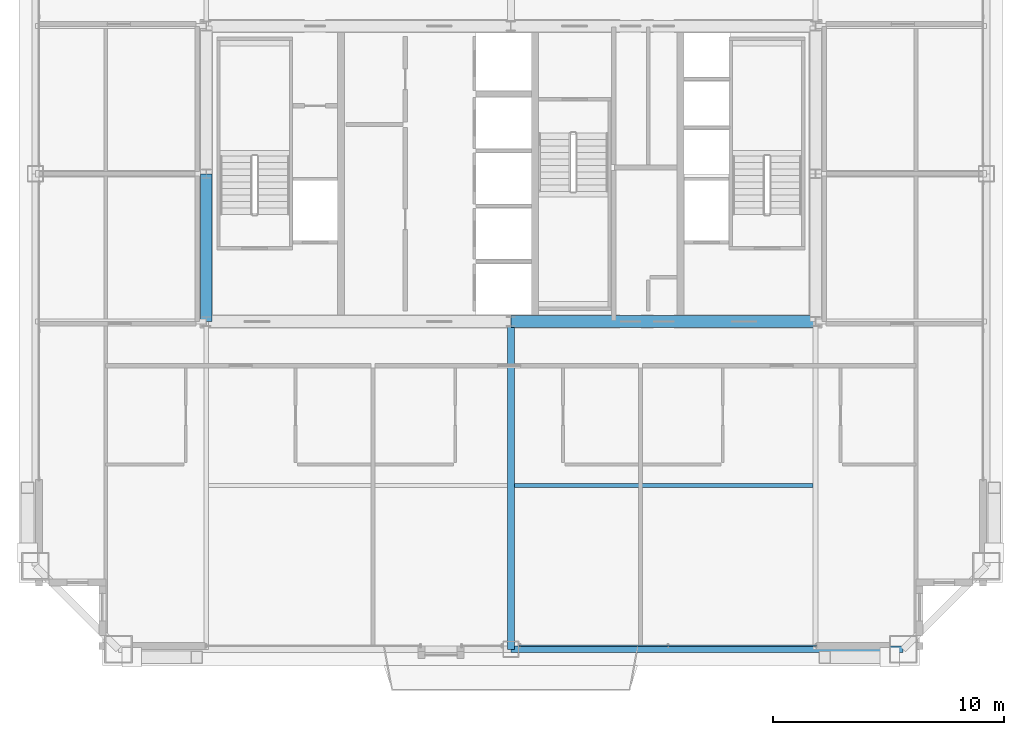
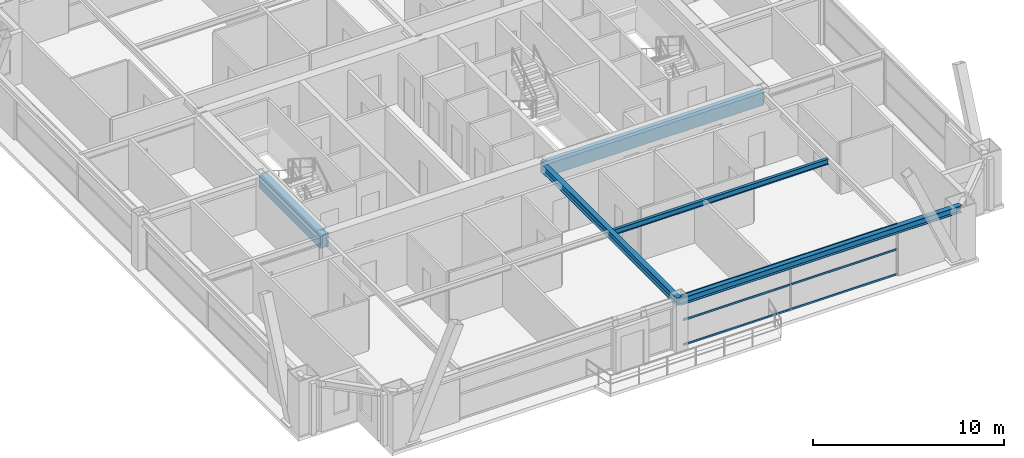
# One storey, part 10 of 34: 5 beams, 3 members, 1 element without a shape of its own.
"""IFC4 building model written with IfcOpenShell, lengths in metres."""

import ifcopenshell
import ifcopenshell.guid

model = None  # the IFC model being written
_history = None  # IfcOwnerHistory: only IFC2X3 demands one
_inside = {}  # id of a spatial element -> (the spatial element, [elements in it])
_under = {}  # id of a project, library or spatial element -> (it, [spatial elements below it])
_declared = {}  # id of a project -> (the project, [libraries it declares])
_typed = {}  # id of a type object -> (the type object, [elements of that type])
_made_of = {}  # id of a material, layer set ... -> (it, [elements and type objects made of it])


def new_model(schema):
    """Start an empty IFC model of exactly this schema.

    Asked for "IFC4X3", IfcOpenShell would pick the latest addendum, in which some entities
    have other attributes; the version numbers below select the first issue.
    IFC2X3 requires an IfcOwnerHistory on every rooted entity: one is made here for all.
    """
    global model, _history
    if schema == "IFC4X3":
        model = ifcopenshell.file(schema_version=(4, 3, 0, 0))
    else:
        model = ifcopenshell.file(schema=schema)
    _inside.clear()
    _under.clear()
    _declared.clear()
    _typed.clear()
    _made_of.clear()
    _history = None
    if model.schema == "IFC2X3":
        org = make("IfcOrganization", Name="unknown")
        user = make(
            "IfcPersonAndOrganization",
            ThePerson=make("IfcPerson", FamilyName="unknown"),
            TheOrganization=org,
        )
        app = make(
            "IfcApplication",
            ApplicationDeveloper=org,
            Version="unknown",
            ApplicationFullName="unknown",
            ApplicationIdentifier="unknown",
        )
        _history = make(
            "IfcOwnerHistory",
            OwningUser=user,
            OwningApplication=app,
            ChangeAction="ADDED",
            CreationDate=0,
        )
    return model


def make(cls, **values):
    """One entity of the class cls with the attributes given. An attribute that is None is left unset."""
    return model.create_entity(
        cls, **{name: value for name, value in values.items() if value is not None}
    )


def rooted(cls, **values):
    """An entity with a GlobalId (a new one), such as an element, a storey or a relation."""
    return make(cls, GlobalId=ifcopenshell.guid.new(), OwnerHistory=_history, **values)


def si_unit(unit_type, name, prefix=None):
    """IfcSIUnit, for example si_unit("LENGTHUNIT", "METRE", prefix="MILLI")."""
    return make("IfcSIUnit", UnitType=unit_type, Prefix=prefix, Name=name)


def assignment(units):
    """IfcUnitAssignment: the units of a project."""
    return None if units is None else make("IfcUnitAssignment", Units=units)


def point(xyz):
    """IfcCartesianPoint."""
    return None if xyz is None else make("IfcCartesianPoint", Coordinates=xyz)


def direction(xyz):
    """IfcDirection."""
    return None if xyz is None else make("IfcDirection", DirectionRatios=xyz)


def frame(location, z_axis=None, x_axis=None):
    """IfcAxis2Placement3D, a coordinate frame: its origin and axes. An axis left out is left unset."""
    return make(
        "IfcAxis2Placement3D",
        Location=point(location),
        Axis=direction(z_axis),
        RefDirection=direction(x_axis),
    )


def frame_2d(location, x_axis=None):
    """IfcAxis2Placement2D, a coordinate frame in the plane: its origin and x axis."""
    return make(
        "IfcAxis2Placement2D", Location=point(location), RefDirection=direction(x_axis)
    )


def origin():
    """The frame at (0, 0, 0) with its axes left unset."""
    return frame((0.0, 0.0, 0.0))


def origin_2d():
    """The frame at (0, 0) in the plane with its x axis left unset."""
    return frame_2d((0.0, 0.0))


def place(relative_to, where):
    """IfcLocalPlacement: puts the frame where relative to a parent placement (None: the world)."""
    return make(
        "IfcLocalPlacement", PlacementRelTo=relative_to, RelativePlacement=where
    )


def context(
    kind, dimensions, precision=None, world=None, true_north=None, identifier=None
):
    """IfcGeometricRepresentationContext, for example the 3D "Model" context."""
    return make(
        "IfcGeometricRepresentationContext",
        ContextIdentifier=identifier,
        ContextType=kind,
        CoordinateSpaceDimension=dimensions,
        Precision=precision,
        WorldCoordinateSystem=world,
        TrueNorth=true_north,
    )


def subcontext(parent, identifier, kind, view, scale=None):
    """IfcGeometricRepresentationSubContext, for example "Body" below "Model"."""
    return make(
        "IfcGeometricRepresentationSubContext",
        ContextIdentifier=identifier,
        ContextType=kind,
        ParentContext=parent,
        TargetScale=scale,
        TargetView=view,
    )


def project(units=None, contexts=None):
    """IfcProject with its units and contexts."""
    return rooted(
        "IfcProject",
        Name="project",
        RepresentationContexts=contexts,
        UnitsInContext=assignment(units),
    )


def spatial(cls, under=None, at=None, **own):
    """A site, building, storey or space (cls), placed at a placement, below another one or the project."""
    s = rooted(cls, ObjectPlacement=at, **own)
    if under is not None:
        _under.setdefault(under.id(), (under, []))[1].append(s)
    return s


def profile(cls, at=None, kind="AREA", **sizes):
    """A parametric profile (cls). Its sizes go by their IFC names, for example OverallWidth=200.0."""
    return make(cls, ProfileType=kind, Position=at, **sizes)


def rectangle(**sizes):
    """IfcRectangleProfileDef."""
    return profile("IfcRectangleProfileDef", **sizes)


def hollow_rectangle(**sizes):
    """IfcRectangleHollowProfileDef."""
    return profile("IfcRectangleHollowProfileDef", **sizes)


def i_section(**sizes):
    """IfcIShapeProfileDef."""
    return profile("IfcIShapeProfileDef", **sizes)


def extrude(swept, where, along, depth):
    """IfcExtrudedAreaSolid: the profile swept, set in the frame where, extruded along a direction by depth."""
    return make(
        "IfcExtrudedAreaSolid",
        SweptArea=swept,
        Position=where,
        ExtrudedDirection=direction(along),
        Depth=depth,
    )


def shape(context_of_items, identifier, shape_type, items):
    """IfcShapeRepresentation: the items that make up one representation, for example the "Body"."""
    return make(
        "IfcShapeRepresentation",
        ContextOfItems=context_of_items,
        RepresentationIdentifier=identifier,
        RepresentationType=shape_type,
        Items=items,
    )


def source(mapping_origin, context_of_items, identifier, shape_type, items):
    """IfcRepresentationMap: a shape defined once, which mapped items show again and again."""
    return make(
        "IfcRepresentationMap",
        MappingOrigin=mapping_origin,
        MappedRepresentation=shape(context_of_items, identifier, shape_type, items),
    )


def transform(
    local_origin,
    x_axis=None,
    y_axis=None,
    z_axis=None,
    scale=None,
    scale2=None,
    scale3=None,
    uniform=True,
):
    """IfcCartesianTransformationOperator3D, or its non-uniform kind. x_axis, y_axis, z_axis: its Axis1, 2, 3."""
    if uniform:
        return make(
            "IfcCartesianTransformationOperator3D",
            Axis1=direction(x_axis),
            Axis2=direction(y_axis),
            LocalOrigin=point(local_origin),
            Scale=scale,
            Axis3=direction(z_axis),
        )
    return make(
        "IfcCartesianTransformationOperator3DnonUniform",
        Axis1=direction(x_axis),
        Axis2=direction(y_axis),
        LocalOrigin=point(local_origin),
        Scale=scale,
        Axis3=direction(z_axis),
        Scale2=scale2,
        Scale3=scale3,
    )


def mapped(mapping_source, mapping_target):
    """IfcMappedItem: shows the shape of a source again, moved by a transform."""
    return make(
        "IfcMappedItem", MappingSource=mapping_source, MappingTarget=mapping_target
    )


def material(Name=None, Category=None):
    """IfcMaterial."""
    return make("IfcMaterial", Name=Name, Category=Category)


def layer(
    of_material, thickness, ventilated=None, Name=None, Category=None, Priority=None
):
    """IfcMaterialLayer: one layer of a wall or slab, of a material (None: an air gap)."""
    return make(
        "IfcMaterialLayer",
        Material=of_material,
        LayerThickness=thickness,
        IsVentilated=ventilated,
        Name=Name,
        Category=Category,
        Priority=Priority,
    )


def layer_set(layers, Name=None):
    """IfcMaterialLayerSet."""
    return make("IfcMaterialLayerSet", MaterialLayers=layers, LayerSetName=Name)


def material_profile(
    of_material, cross_section, Name=None, Category=None, Priority=None
):
    """IfcMaterialProfile: a cross section and its material."""
    return make(
        "IfcMaterialProfile",
        Name=Name,
        Material=of_material,
        Profile=cross_section,
        Priority=Priority,
        Category=Category,
    )


def profile_set(profiles, Name=None, composite=None):
    """IfcMaterialProfileSet."""
    return make(
        "IfcMaterialProfileSet",
        Name=Name,
        MaterialProfiles=profiles,
        CompositeProfile=composite,
    )


def made_of(thing, what):
    """Note that an element or type object is made of a material, layer set ...; save() writes the relation."""
    if what is not None:
        _made_of.setdefault(what.id(), (what, []))[1].append(thing)
    return thing


def type_object(cls, material=None, **own):
    """A type object (cls), such as IfcWallType, which elements share."""
    return made_of(rooted(cls, **own), material)


def element(
    cls,
    number,
    at=None,
    inside=None,
    cuts=None,
    type_object=None,
    material=None,
    context=None,
    identifier="Body",
    shape_type=None,
    held_by="IfcProductDefinitionShape",
    body=None,
    shapes=None,
    **own,
):
    """One element of the class cls, such as IfcWall. Its Tag is "e" and its number.

    at: its placement. inside: the storey or other place that contains it. cuts: it is an
    opening in that element (IfcRelVoidsElement). A single representation is given by context,
    identifier, shape_type and body (its items); several are given by shapes. held_by: the class
    of the entity that holds the representations. save() writes the other relations.
    """
    e = rooted(cls, Tag="e%d" % number, ObjectPlacement=at, **own)
    if body is not None:
        shapes = [shape(context, identifier, shape_type, body)]
    if shapes is not None:
        e.Representation = make(held_by, Representations=shapes)
    if inside is not None:
        _inside.setdefault(inside.id(), (inside, []))[1].append(e)
    if cuts is not None:
        rooted(
            "IfcRelVoidsElement", RelatingBuildingElement=cuts, RelatedOpeningElement=e
        )
    if type_object is not None:
        _typed.setdefault(type_object.id(), (type_object, []))[1].append(e)
    return made_of(e, material)


def aggregate(whole, parts):
    """IfcRelAggregates: a whole, such as a stair, and the parts it consists of."""
    return rooted("IfcRelAggregates", RelatingObject=whole, RelatedObjects=parts)


def save(model, path):
    """Write the relations noted so far, then the file.

    IfcRelAggregates (storeys below a building ...), IfcRelContainedInSpatialStructure (elements
    in a storey), IfcRelDefinesByType, IfcRelAssociatesMaterial and IfcRelDeclares: one each for
    every whole, place, type object, material and project.
    """
    for whole, parts in _under.values():
        aggregate(whole, parts)
    for where, things in _inside.values():
        rooted(
            "IfcRelContainedInSpatialStructure",
            RelatedElements=things,
            RelatingStructure=where,
        )
    for kind, things in _typed.values():
        rooted("IfcRelDefinesByType", RelatedObjects=things, RelatingType=kind)
    for what, things in _made_of.values():
        rooted("IfcRelAssociatesMaterial", RelatedObjects=things, RelatingMaterial=what)
    for by, libraries in _declared.values():
        rooted("IfcRelDeclares", RelatingContext=by, RelatedDefinitions=libraries)
    model.write(path)


model = new_model("IFC4")

# Units and contexts
model_context = context("Model", 3, precision=1e-05, world=origin(), true_north=direction((0.0, 1.0)))
body_context = subcontext(model_context, "Body", "Model", "MODEL_VIEW")
ifc_project = project(units=[si_unit("LENGTHUNIT", "METRE"), si_unit("AREAUNIT", "SQUARE_METRE"), si_unit("VOLUMEUNIT", "CUBIC_METRE"), si_unit("PLANEANGLEUNIT", "RADIAN"), si_unit("MASSUNIT", "GRAM", prefix="KILO"), si_unit("THERMODYNAMICTEMPERATUREUNIT", "KELVIN"), si_unit("POWERUNIT", "WATT")], contexts=[model_context])

# Site, building, storey
site_placement = place(None, origin())
site = spatial("IfcSite", under=ifc_project, at=site_placement, CompositionType="ELEMENT")
building_placement = place(site_placement, origin())
building = spatial("IfcBuilding", under=site, at=building_placement, Name="Yuzanri Waterfront Tower", CompositionType="ELEMENT")
storey_placement = place(building_placement, frame((0.0, 0.0, 241.60009765625)))
storey = spatial("IfcBuildingStorey", under=building, at=storey_placement, Name="L64", CompositionType="ELEMENT", Elevation=241.60009765625)

# Beams
ifc_material_1 = material(Name="Concrete C50", Category="concrete")
ifc_material_profile_1 = material_profile(ifc_material_1, rectangle(XDim=0.5, YDim=0.800048828125, at=origin_2d()), Name="RC 500x800")
ifc_profile_set_1 = profile_set([ifc_material_profile_1], Name="Concrete C50")
beam_type_1 = type_object("IfcBeamType", Name="Core Coupling Lintel Concrete C50 500x800", PredefinedType="LINTEL", material=ifc_profile_set_1)
shared_shape_1 = source(origin(), body_context, "Body", "SweptSolid", [
    extrude(rectangle(XDim=0.5, YDim=0.800048828125, at=origin_2d()), origin(), (0.0, 0.0, 1.0), 13.199951171875),
])
beam_1_placement = place(storey_placement, frame((37.0, 19.39990234375, 2.8798828125), z_axis=(1.0, 0.0, 0.0), x_axis=(0.0, 1.0, 0.0)))
element("IfcBeam", 1, at=beam_1_placement, inside=storey, type_object=beam_type_1, Name="L64 Core Tie Beam CS2", PredefinedType="LINTEL", context=body_context, shape_type="MappedRepresentation", body=[
    mapped(shared_shape_1, transform((0.0, 0.0, 0.0), scale=1.0)),
])
shared_shape_2 = source(origin(), body_context, "Body", "SweptSolid", [
    extrude(rectangle(XDim=0.5, YDim=0.800048828125, at=origin_2d()), origin(), (0.0, 0.0, 1.0), 6.400146484375),
])
beam_2_placement = place(storey_placement, frame((23.800048828125, 19.39990234375, 2.8798828125), z_axis=(0.0, 1.0, 0.0), x_axis=(-1.0, 0.0, 0.0)))
element("IfcBeam", 2, at=beam_2_placement, inside=storey, type_object=beam_type_1, Name="L64 Core Tie Beam CW1", PredefinedType="LINTEL", context=body_context, shape_type="MappedRepresentation", body=[
    mapped(shared_shape_2, transform((0.0, 0.0, 0.0), scale=1.0)),
])
ifc_material_2 = material(Name="Steel Q355B", Category="steel")
ifc_material_profile_2 = material_profile(ifc_material_2, i_section(OverallWidth=0.300048828125, OverallDepth=0.43994140625, WebThickness=0.010986328125, FlangeThickness=0.01806640625, at=origin_2d()), Name="HM 440x300x11x18")
ifc_profile_set_2 = profile_set([ifc_material_profile_2], Name="Steel Q355B")
beam_type_2 = type_object("IfcBeamType", Name="Perimeter Spandrel Q355B HM 440x300", PredefinedType="SPANDREL", material=ifc_profile_set_2)
shared_shape_3 = source(origin(), body_context, "Body", "SweptSolid", [
    extrude(i_section(OverallWidth=0.300048828125, OverallDepth=0.43994140625, WebThickness=0.010986328125, FlangeThickness=0.01806640625, at=origin_2d()), origin(), (0.0, 0.0, 1.0), 17.0),
])
beam_3_placement = place(storey_placement, frame((37.0, 5.199951171875, 3.059814453125), z_axis=(1.0, 0.0, 0.0), x_axis=(0.0, 1.0, 0.0)))
element("IfcBeam", 3, at=beam_3_placement, inside=storey, type_object=beam_type_2, Name="L64 Perimeter Spandrel S2-S3", PredefinedType="SPANDREL", context=body_context, shape_type="MappedRepresentation", body=[
    mapped(shared_shape_3, transform((0.0, 0.0, 0.0), scale=1.0)),
])
ifc_material_3 = material(Name="Steel Q355B", Category="steel")
ifc_material_profile_3 = material_profile(ifc_material_3, i_section(OverallWidth=0.300048828125, OverallDepth=0.488037109375, WebThickness=0.010986328125, FlangeThickness=0.01806640625, at=origin_2d()), Name="HM 488x300x11x18")
ifc_profile_set_3 = profile_set([ifc_material_profile_3], Name="Steel Q355B")
beam_type_3 = type_object("IfcBeamType", Name="Primary Floor Girder Q355B HM 488x300", PredefinedType="BEAM", material=ifc_profile_set_3)
shared_shape_4 = source(origin(), body_context, "Body", "SweptSolid", [
    extrude(i_section(OverallWidth=0.300048828125, OverallDepth=0.488037109375, WebThickness=0.010986328125, FlangeThickness=0.01806640625, at=origin_2d()), origin(), (0.0, 0.0, 1.0), 14.199951171875),
])
beam_4_placement = place(storey_placement, frame((37.0, 19.39990234375, 3.035888671875), z_axis=(0.0, -1.0, 0.0), x_axis=(1.0, 0.0, 0.0)))
element("IfcBeam", 4, at=beam_4_placement, inside=storey, type_object=beam_type_3, Name="L64 South Grid Girder", PredefinedType="BEAM", context=body_context, shape_type="MappedRepresentation", body=[
    mapped(shared_shape_4, transform((0.0, 0.0, 0.0), scale=1.0)),
])
ifc_material_4 = material(Name="Steel Q355B", Category="steel")
ifc_material_profile_4 = material_profile(ifc_material_4, i_section(OverallWidth=0.175048828125, OverallDepth=0.35009765625, WebThickness=0.007080078125, FlangeThickness=0.010986328125, at=origin_2d()), Name="HN 350x175x7x11")
ifc_profile_set_4 = profile_set([ifc_material_profile_4], Name="Steel Q355B")
beam_type_4 = type_object("IfcBeamType", Name="Floor Joist Q355B HN 350x175", PredefinedType="JOIST", material=ifc_profile_set_4)
shared_shape_5 = source(origin(), body_context, "Body", "SweptSolid", [
    extrude(i_section(OverallWidth=0.175048828125, OverallDepth=0.35009765625, WebThickness=0.007080078125, FlangeThickness=0.010986328125, at=origin_2d()), origin(), (0.0, 0.0, 1.0), 12.9501953125),
])
beam_5_placement = place(storey_placement, frame((37.14990234375, 12.300048828125, 3.10498046875), z_axis=(1.0, 0.0, 0.0), x_axis=(0.0, 1.0, 0.0)))
element("IfcBeam", 5, at=beam_5_placement, inside=storey, type_object=beam_type_4, Name="L64 South Bay Joist E", PredefinedType="JOIST", context=body_context, shape_type="MappedRepresentation", body=[
    mapped(shared_shape_5, transform((0.0, 0.0, 0.0), scale=1.0)),
])

# Curtain wall, members
ifc_material_5 = material(Name="Anodized Architectural Bronze", Category="metal")
ifc_layer = layer(ifc_material_5, 0.159912109375)
ifc_layer_set = layer_set([ifc_layer], Name="Anodized Architectural Bronze")
curtain_wall_type = type_object("IfcCurtainWallType", Name="Anodized Bronze Mid-Rise Residential Acoustic Unitized Curtain Wall 7200", PredefinedType="NOTDEFINED", material=ifc_layer_set)
curtain_wall_placement = place(storey_placement, origin())
curtain_wall = element("IfcCurtainWall", 6, at=curtain_wall_placement, inside=storey, type_object=curtain_wall_type, Name="L64 Curtain Wall CW-L64-SR", PredefinedType="NOTDEFINED")
ifc_material_6 = material(Name="Anodized Architectural Bronze", Category="metal")
ifc_material_profile_5 = material_profile(ifc_material_6, hollow_rectangle(XDim=0.06494140625, YDim=0.1201171875, WallThickness=0.00341796875, at=origin_2d()), Name="CWT 65x120")
ifc_profile_set_5 = profile_set([ifc_material_profile_5], Name="Anodized Architectural Bronze")
member_type = type_object("IfcMemberType", Name="Anodized Bronze Secondary Curtain-Wall Transom 65x120", PredefinedType="USERDEFINED", material=ifc_profile_set_5)
shared_shape_6 = source(origin(), body_context, "Body", "SweptSolid", [
    extrude(hollow_rectangle(XDim=0.06494140625, YDim=0.1201171875, WallThickness=0.00341796875, at=origin_2d()), origin(), (0.0, 0.0, 1.0), 12.89990234375),
])
member_1_placement = place(storey_placement, frame((37.35009765625, 5.35009765625, 0.0498046875), z_axis=(1.0, 0.0, 0.0), x_axis=(0.0, 1.0, 0.0)))
member_1 = element("IfcMember", 7, at=member_1_placement, type_object=member_type, Name="CW-L64-SR Transom 1", ObjectType="TRANSOM", PredefinedType="USERDEFINED", context=body_context, shape_type="MappedRepresentation", body=[
    mapped(shared_shape_6, transform((0.0, 0.0, 0.0), scale=1.0)),
])
member_2_placement = place(storey_placement, frame((37.35009765625, 5.35009765625, 1.639892578125), z_axis=(1.0, 0.0, 0.0), x_axis=(0.0, 1.0, 0.0)))
member_2 = element("IfcMember", 8, at=member_2_placement, type_object=member_type, Name="CW-L64-SR Transom 2", ObjectType="TRANSOM", PredefinedType="USERDEFINED", context=body_context, shape_type="MappedRepresentation", body=[
    mapped(shared_shape_6, transform((0.0, 0.0, 0.0), scale=1.0)),
])
member_3_placement = place(storey_placement, frame((37.35009765625, 5.35009765625, 3.22998046875), z_axis=(1.0, 0.0, 0.0), x_axis=(0.0, 1.0, 0.0)))
member_3 = element("IfcMember", 9, at=member_3_placement, type_object=member_type, Name="CW-L64-SR Transom 3", ObjectType="TRANSOM", PredefinedType="USERDEFINED", context=body_context, shape_type="MappedRepresentation", body=[
    mapped(shared_shape_6, transform((0.0, 0.0, 0.0), scale=1.0)),
])
aggregate(curtain_wall, [member_1, member_2, member_3])

save(model, "model.ifc")
